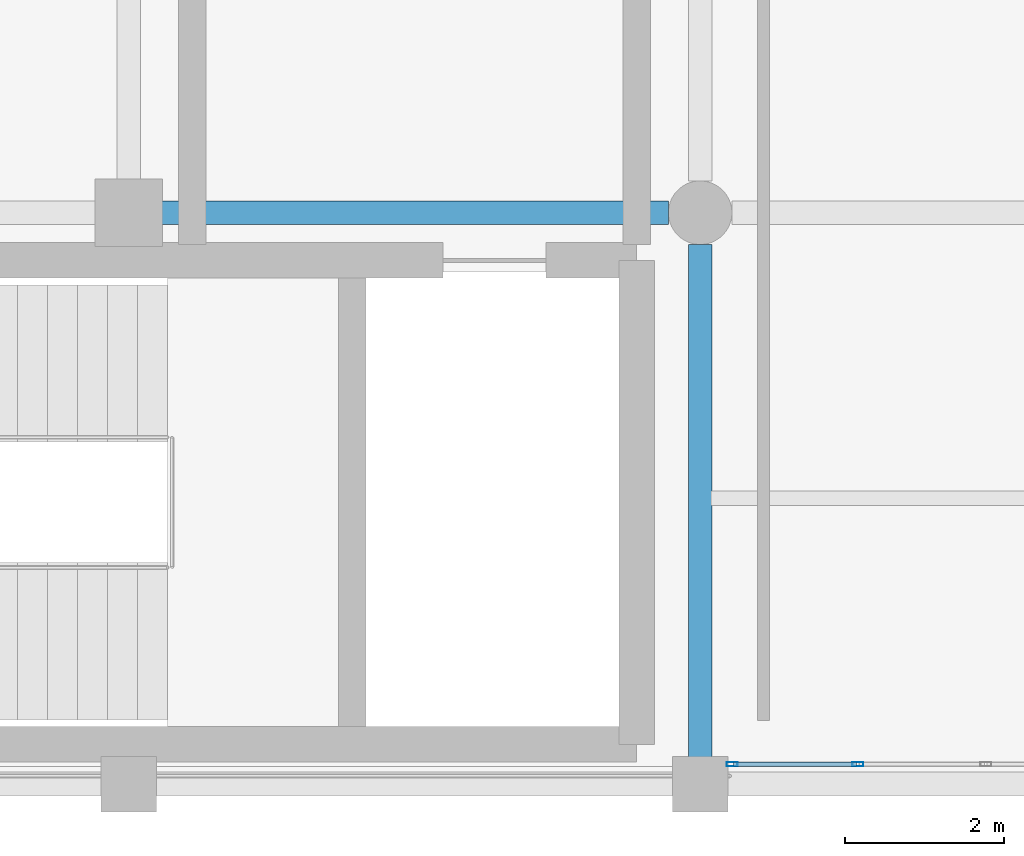
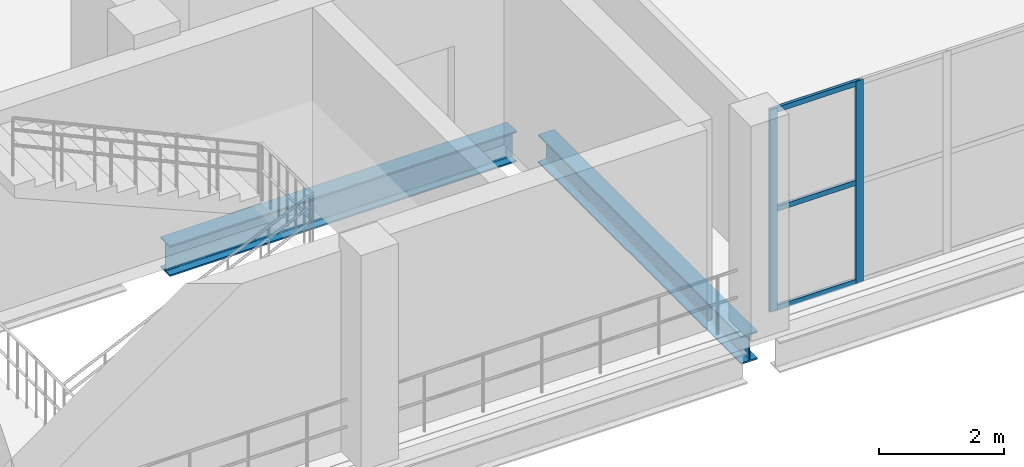
# One storey, part 27 of 153: 5 members, 2 beams, 1 element without a shape of its own.
"""IFC4 building model written with IfcOpenShell, lengths in metres."""

from ifc_helpers import new_model, si_unit, direction, frame, origin, origin_2d, place, context, subcontext, project, spatial, hollow_rectangle, i_section, extrude, material, material_profile, profile_set, type_object, element, aggregate, save


model = new_model("IFC4")

# Units and contexts
model_context = context("Model", 3, precision=1e-05, world=origin(), true_north=direction((0.0, 1.0)))
body_context = subcontext(model_context, "Body", "Model", "MODEL_VIEW")
ifc_project = project(units=[si_unit("LENGTHUNIT", "METRE"), si_unit("AREAUNIT", "SQUARE_METRE"), si_unit("VOLUMEUNIT", "CUBIC_METRE"), si_unit("PLANEANGLEUNIT", "RADIAN"), si_unit("MASSUNIT", "GRAM", prefix="KILO")], contexts=[model_context])

# Site, building, storey
site_placement = place(None, origin())
site = spatial("IfcSite", under=ifc_project, at=site_placement, CompositionType="ELEMENT")
building_placement = place(site_placement, origin())
building = spatial("IfcBuilding", under=site, at=building_placement, Name="Qandorah Velis Arena", CompositionType="ELEMENT")
storey_placement = place(building_placement, frame((0.0, 0.0, 5.39990234375)))
storey = spatial("IfcBuildingStorey", under=building, at=storey_placement, Name="L01", CompositionType="ELEMENT", Elevation=5.39990234375)

# Curtain wall, members
ifc_material_1 = material(Name="Solar-control low-E double glazing", Category="glass")
curtain_wall_type = type_object("IfcCurtainWallType", Name="ARC-CW-SYS12", PredefinedType="USERDEFINED", material=ifc_material_1)
curtain_wall_placement = place(storey_placement, origin())
curtain_wall = element("IfcCurtainWall", 1, at=curtain_wall_placement, inside=storey, type_object=curtain_wall_type, Name="Unitised curtain wall L01-060", ObjectType="UNITISED CURTAIN WALL", PredefinedType="USERDEFINED")
ifc_material_2 = material(Name="Champagne-bronze anodized aluminium 6063-T6", Category="aluminium")
ifc_material_profile_1 = material_profile(ifc_material_2, hollow_rectangle(XDim=0.054931640625, YDim=0.139892578125, WallThickness=0.0029296875, at=origin_2d()), Name="ALU MULLION 55x140")
ifc_profile_set_1 = profile_set([ifc_material_profile_1], Name="Champagne-bronze anodized aluminium 6063-T6")
member_type_1 = type_object("IfcMemberType", Name="ARC-CWM-140", PredefinedType="MULLION", material=ifc_profile_set_1)
member_1_placement = place(storey_placement, frame((86.802490234375, 0.25, -0.014892578125), z_axis=(0.0, 0.0, 1.0), x_axis=(0.0, 1.0, 0.0)))
member_1 = element("IfcMember", 2, at=member_1_placement, type_object=member_type_1, Name="CW12 mullion 1", PredefinedType="MULLION", context=body_context, shape_type="SweptSolid", body=[
    extrude(hollow_rectangle(XDim=0.054931640625, YDim=0.139892578125, WallThickness=0.0029296875, at=origin_2d()), origin(), (0.0, 0.0, 1.0), 3.949951171875),
])
member_2_placement = place(storey_placement, frame((88.387451171875, 0.25, -0.014892578125), z_axis=(0.0, 0.0, 1.0), x_axis=(0.0, 1.0, 0.0)))
member_2 = element("IfcMember", 3, at=member_2_placement, type_object=member_type_1, Name="CW12 mullion 2", PredefinedType="MULLION", context=body_context, shape_type="SweptSolid", body=[
    extrude(hollow_rectangle(XDim=0.054931640625, YDim=0.139892578125, WallThickness=0.0029296875, at=origin_2d()), origin(), (0.0, 0.0, 1.0), 3.949951171875),
])
ifc_material_profile_2 = material_profile(ifc_material_2, hollow_rectangle(XDim=0.054931640625, YDim=0.10009765625, WallThickness=0.0029296875, at=origin_2d()), Name="ALU TRANSOM 55x100")
ifc_profile_set_2 = profile_set([ifc_material_profile_2], Name="Champagne-bronze anodized aluminium 6063-T6")
member_type_2 = type_object("IfcMemberType", Name="ARC-CWT-100", PredefinedType="USERDEFINED", material=ifc_profile_set_2)
member_3_placement = place(storey_placement, frame((86.818115234375, 0.25, 0.027587890625), z_axis=(1.0, 0.0, 0.0), x_axis=(0.0, 1.0, 0.0)))
member_3 = element("IfcMember", 4, at=member_3_placement, type_object=member_type_2, Name="CW12 transom 1.1", ObjectType="TRANSOM", PredefinedType="USERDEFINED", context=body_context, shape_type="SweptSolid", body=[
    extrude(hollow_rectangle(XDim=0.054931640625, YDim=0.10009765625, WallThickness=0.0029296875, at=origin_2d()), origin(), (0.0, 0.0, 1.0), 1.553955078125),
])
member_4_placement = place(storey_placement, frame((86.818115234375, 0.25, 1.960205078125), z_axis=(1.0, 0.0, 0.0), x_axis=(0.0, 1.0, 0.0)))
member_4 = element("IfcMember", 5, at=member_4_placement, type_object=member_type_2, Name="CW12 transom 1.2", ObjectType="TRANSOM", PredefinedType="USERDEFINED", context=body_context, shape_type="SweptSolid", body=[
    extrude(hollow_rectangle(XDim=0.054931640625, YDim=0.10009765625, WallThickness=0.0029296875, at=origin_2d()), origin(), (0.0, 0.0, 1.0), 1.553955078125),
])
member_5_placement = place(storey_placement, frame((86.818115234375, 0.25, 3.892578125), z_axis=(1.0, 0.0, 0.0), x_axis=(0.0, 1.0, 0.0)))
member_5 = element("IfcMember", 6, at=member_5_placement, type_object=member_type_2, Name="CW12 transom 1.3", ObjectType="TRANSOM", PredefinedType="USERDEFINED", context=body_context, shape_type="SweptSolid", body=[
    extrude(hollow_rectangle(XDim=0.054931640625, YDim=0.10009765625, WallThickness=0.0029296875, at=origin_2d()), origin(), (0.0, 0.0, 1.0), 1.553955078125),
])
aggregate(curtain_wall, [member_1, member_2, member_3, member_4, member_5])

# Beams
ifc_material_3 = material(Name="Steel S355", Category="steel")
ifc_material_profile_3 = material_profile(ifc_material_3, i_section(OverallWidth=0.300048828125, OverallDepth=0.550048828125, WebThickness=0.014892578125, FlangeThickness=0.029052734375, FilletRadius=0.027099609375, at=origin_2d()), Name="HEB 550")
ifc_profile_set_3 = profile_set([ifc_material_profile_3], Name="Steel S355")
beam_type_1 = type_object("IfcBeamType", Name="STR-BM-HEB550", PredefinedType="BEAM", material=ifc_profile_set_3)
beam_1_placement = place(storey_placement, frame((86.39990234375, 0.300048828125, -0.635009765625), z_axis=(0.0, 1.0, 0.0), x_axis=(-1.0, 0.0, 0.0)))
element("IfcBeam", 7, at=beam_1_placement, inside=storey, type_object=beam_type_1, Name="Primary floor girder L01 Y-338", PredefinedType="BEAM", context=body_context, shape_type="SweptSolid", body=[
    extrude(i_section(OverallWidth=0.300048828125, OverallDepth=0.550048828125, WebThickness=0.014892578125, FlangeThickness=0.029052734375, FilletRadius=0.027099609375, at=origin_2d()), origin(), (0.0, 0.0, 1.0), 6.5),
])
ifc_material_profile_4 = material_profile(ifc_material_3, i_section(OverallWidth=0.300048828125, OverallDepth=0.60009765625, WebThickness=0.015380859375, FlangeThickness=0.030029296875, FilletRadius=0.027099609375, at=origin_2d()), Name="HEB 600")
ifc_profile_set_4 = profile_set([ifc_material_profile_4], Name="Steel S355")
beam_type_2 = type_object("IfcBeamType", Name="STR-BM-HEB600", PredefinedType="BEAM", material=ifc_profile_set_4)
beam_2_placement = place(storey_placement, frame((79.60009765625, 7.199951171875, -0.659912109375), z_axis=(1.0, 0.0, 0.0), x_axis=(0.0, 1.0, 0.0)))
element("IfcBeam", 8, at=beam_2_placement, inside=storey, type_object=beam_type_2, Name="Primary floor girder L01 X-028", PredefinedType="BEAM", context=body_context, shape_type="SweptSolid", body=[
    extrude(i_section(OverallWidth=0.300048828125, OverallDepth=0.60009765625, WebThickness=0.015380859375, FlangeThickness=0.030029296875, FilletRadius=0.027099609375, at=origin_2d()), origin(), (0.0, 0.0, 1.0), 6.39990234375),
])

save(model, "model.ifc")
